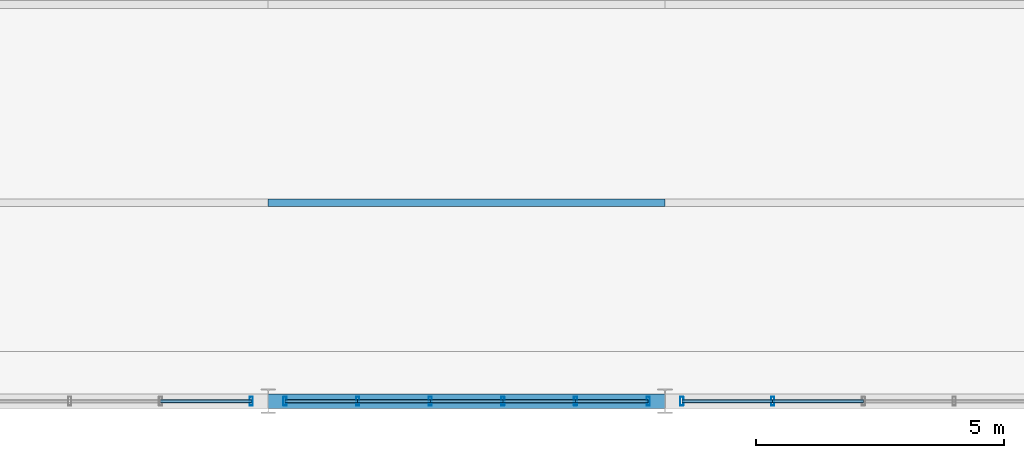
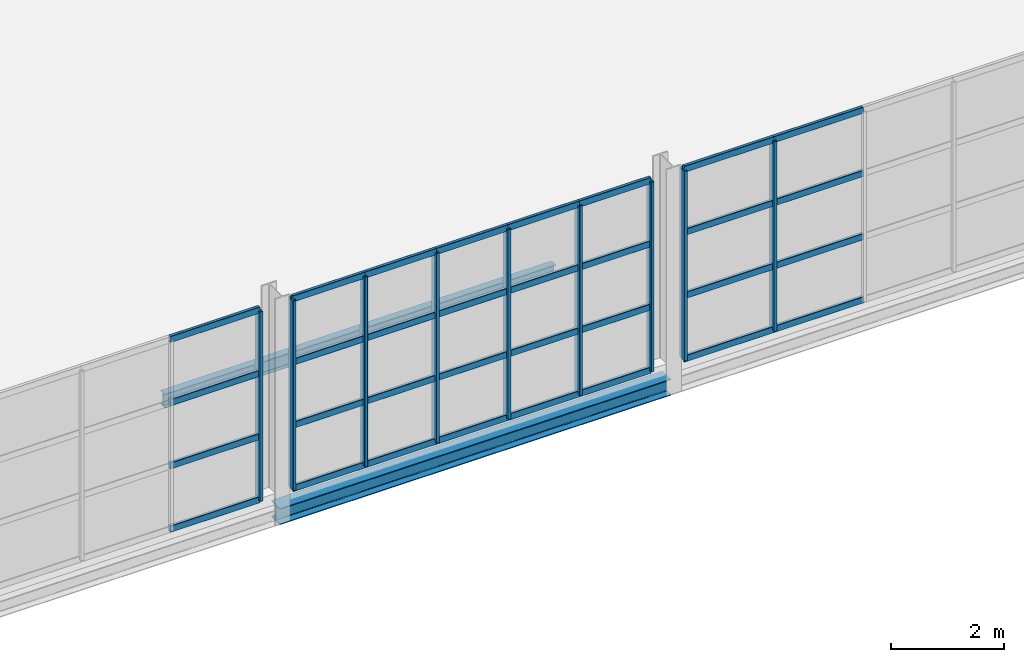
# One storey, part 103 of 153: 41 members, 2 beams, 3 elements without a shape of their own.
"""IFC4 building model written with IfcOpenShell, lengths in metres."""

from ifc_helpers import new_model, si_unit, derived_unit, direction, frame, origin, origin_2d, place, context, subcontext, project, spatial, hollow_rectangle, i_section, extrude, material, material_profile, profile_set, type_object, element, aggregate, save


model = new_model("IFC4")

# Units and contexts
model_context = context("Model", 3, precision=1e-05, world=origin(), true_north=direction((0.0, 1.0)))
body_context = subcontext(model_context, "Body", "Model", "MODEL_VIEW")
ifc_project = project(units=[si_unit("LENGTHUNIT", "METRE"), si_unit("AREAUNIT", "SQUARE_METRE"), si_unit("VOLUMEUNIT", "CUBIC_METRE"), si_unit("PLANEANGLEUNIT", "RADIAN"), si_unit("MASSUNIT", "GRAM", prefix="KILO"), derived_unit("THERMALTRANSMITTANCEUNIT", [(si_unit("POWERUNIT", "WATT"), 1), (si_unit("LENGTHUNIT", "METRE"), -2), (si_unit("THERMODYNAMICTEMPERATUREUNIT", "KELVIN"), -1)])], contexts=[model_context])

# Site, building, storey
site_placement = place(None, origin())
site = spatial("IfcSite", under=ifc_project, at=site_placement, CompositionType="ELEMENT")
building_placement = place(site_placement, origin())
building = spatial("IfcBuilding", under=site, at=building_placement, Name="Keldorne Ridge Multi-Sports Centre", CompositionType="ELEMENT")
storey_placement = place(building_placement, frame((0.0, 0.0, 9.60009765625)))
storey = spatial("IfcBuildingStorey", under=building, at=storey_placement, Name="L02", CompositionType="ELEMENT", Elevation=9.60009765625)

# Beams
ifc_material_1 = material(Name="Steel S355", Category="steel")
ifc_material_profile_1 = material_profile(ifc_material_1, i_section(OverallWidth=0.14990234375, OverallDepth=0.300048828125, WebThickness=0.007080078125, FlangeThickness=0.0107421875, FilletRadius=0.014892578125, at=origin_2d()), Name="IPE 300")
ifc_profile_set_1 = profile_set([ifc_material_profile_1], Name="Steel S355")
beam_type_1 = type_object("IfcBeamType", Name="BM-J-02", PredefinedType="JOIST", material=ifc_profile_set_1)
beam_1_placement = place(storey_placement, frame((136.0, 10.0, -0.39013671875), z_axis=(1.0, 0.0, 0.0), x_axis=(0.0, 1.0, 0.0)))
element("IfcBeam", 1, at=beam_1_placement, inside=storey, type_object=beam_type_1, Name="L02 Stacked Courts beam 5.2", PredefinedType="JOIST", context=body_context, shape_type="SweptSolid", body=[
    extrude(i_section(OverallWidth=0.14990234375, OverallDepth=0.300048828125, WebThickness=0.007080078125, FlangeThickness=0.0107421875, FilletRadius=0.014892578125, at=origin_2d()), origin(), (0.0, 0.0, 1.0), 8.0),
])
ifc_material_profile_2 = material_profile(ifc_material_1, i_section(OverallWidth=0.300048828125, OverallDepth=0.35009765625, WebThickness=0.010009765625, FlangeThickness=0.017578125, FilletRadius=0.027099609375, at=origin_2d()), Name="HEA 360")
ifc_profile_set_2 = profile_set([ifc_material_profile_2], Name="Steel S355")
beam_type_2 = type_object("IfcBeamType", Name="BM-SP-03", PredefinedType="SPANDREL", material=ifc_profile_set_2)
beam_2_placement = place(storey_placement, frame((136.0, 6.0, -0.4150390625), z_axis=(1.0, 0.0, 0.0), x_axis=(0.0, 1.0, 0.0)))
element("IfcBeam", 2, at=beam_2_placement, inside=storey, type_object=beam_type_2, Name="L02 Stacked Courts beam 5.1", PredefinedType="SPANDREL", context=body_context, shape_type="SweptSolid", body=[
    extrude(i_section(OverallWidth=0.300048828125, OverallDepth=0.35009765625, WebThickness=0.010009765625, FlangeThickness=0.017578125, FilletRadius=0.027099609375, at=origin_2d()), origin(), (0.0, 0.0, 1.0), 8.0),
])

# Curtain wall, member
ifc_material_2 = material(Name="Anodized aluminium", Category="aluminium")
curtain_wall_type_1 = type_object("IfcCurtainWallType", Name="CW-CW-03", PredefinedType="NOTDEFINED", material=ifc_material_2)
curtain_wall_1_placement = place(storey_placement, origin())
curtain_wall_1 = element("IfcCurtainWall", 3, at=curtain_wall_1_placement, inside=storey, type_object=curtain_wall_type_1, Name="Upper Courts south curtain wall 107", PredefinedType="NOTDEFINED")
ifc_material_profile_3 = material_profile(ifc_material_2, hollow_rectangle(XDim=0.06494140625, YDim=0.179931640625, WallThickness=0.00439453125, InnerFilletRadius=0.00439453125, OuterFilletRadius=0.009033203125, at=origin_2d()), Name="ALU MULLION 180x65x4.5")
ifc_profile_set_3 = profile_set([ifc_material_profile_3], Name="Anodized aluminium")
member_type_1 = type_object("IfcMemberType", Name="MEM-ML-01", PredefinedType="MULLION", material=ifc_profile_set_3)
member_1_placement = place(storey_placement, frame((135.659912109375, 6.0, 0.0), z_axis=(0.0, 0.0, 1.0), x_axis=(1.0, 0.0, 0.0)))
member_1 = element("IfcMember", 4, at=member_1_placement, type_object=member_type_1, Name="CW-107 vertical mullion 5", PredefinedType="MULLION", context=body_context, shape_type="SweptSolid", body=[
    extrude(hollow_rectangle(XDim=0.06494140625, YDim=0.179931640625, WallThickness=0.00439453125, InnerFilletRadius=0.00439453125, OuterFilletRadius=0.009033203125, at=origin_2d()), origin(), (0.0, 0.0, 1.0), 4.099853515625),
])

# Curtain wall, members
curtain_wall_type_2 = type_object("IfcCurtainWallType", Name="CW-CW-02", PredefinedType="NOTDEFINED", material=ifc_material_2)
curtain_wall_2_placement = place(storey_placement, origin())
curtain_wall_2 = element("IfcCurtainWall", 5, at=curtain_wall_2_placement, inside=storey, type_object=curtain_wall_type_2, Name="Upper Courts south curtain wall 114", PredefinedType="NOTDEFINED")
member_2_placement = place(storey_placement, frame((136.340087890625, 6.0, 0.0), z_axis=(0.0, 0.0, 1.0), x_axis=(1.0, 0.0, 0.0)))
member_2 = element("IfcMember", 6, at=member_2_placement, type_object=member_type_1, Name="CW-114 vertical mullion 1", PredefinedType="MULLION", context=body_context, shape_type="SweptSolid", body=[
    extrude(hollow_rectangle(XDim=0.06494140625, YDim=0.179931640625, WallThickness=0.00439453125, InnerFilletRadius=0.00439453125, OuterFilletRadius=0.009033203125, at=origin_2d()), origin(), (0.0, 0.0, 1.0), 4.099853515625),
])
member_3_placement = place(storey_placement, frame((137.803955078125, 6.0, 0.0), z_axis=(0.0, 0.0, 1.0), x_axis=(1.0, 0.0, 0.0)))
member_3 = element("IfcMember", 7, at=member_3_placement, type_object=member_type_1, Name="CW-114 vertical mullion 2", PredefinedType="MULLION", context=body_context, shape_type="SweptSolid", body=[
    extrude(hollow_rectangle(XDim=0.06494140625, YDim=0.179931640625, WallThickness=0.00439453125, InnerFilletRadius=0.00439453125, OuterFilletRadius=0.009033203125, at=origin_2d()), origin(), (0.0, 0.0, 1.0), 4.099853515625),
])
member_4_placement = place(storey_placement, frame((139.26806640625, 6.0, 0.0), z_axis=(0.0, 0.0, 1.0), x_axis=(1.0, 0.0, 0.0)))
member_4 = element("IfcMember", 8, at=member_4_placement, type_object=member_type_1, Name="CW-114 vertical mullion 3", PredefinedType="MULLION", context=body_context, shape_type="SweptSolid", body=[
    extrude(hollow_rectangle(XDim=0.06494140625, YDim=0.179931640625, WallThickness=0.00439453125, InnerFilletRadius=0.00439453125, OuterFilletRadius=0.009033203125, at=origin_2d()), origin(), (0.0, 0.0, 1.0), 4.099853515625),
])
member_5_placement = place(storey_placement, frame((140.73193359375, 6.0, 0.0), z_axis=(0.0, 0.0, 1.0), x_axis=(1.0, 0.0, 0.0)))
member_5 = element("IfcMember", 9, at=member_5_placement, type_object=member_type_1, Name="CW-114 vertical mullion 4", PredefinedType="MULLION", context=body_context, shape_type="SweptSolid", body=[
    extrude(hollow_rectangle(XDim=0.06494140625, YDim=0.179931640625, WallThickness=0.00439453125, InnerFilletRadius=0.00439453125, OuterFilletRadius=0.009033203125, at=origin_2d()), origin(), (0.0, 0.0, 1.0), 4.099853515625),
])
member_6_placement = place(storey_placement, frame((142.196044921875, 6.0, 0.0), z_axis=(0.0, 0.0, 1.0), x_axis=(1.0, 0.0, 0.0)))
member_6 = element("IfcMember", 10, at=member_6_placement, type_object=member_type_1, Name="CW-114 vertical mullion 5", PredefinedType="MULLION", context=body_context, shape_type="SweptSolid", body=[
    extrude(hollow_rectangle(XDim=0.06494140625, YDim=0.179931640625, WallThickness=0.00439453125, InnerFilletRadius=0.00439453125, OuterFilletRadius=0.009033203125, at=origin_2d()), origin(), (0.0, 0.0, 1.0), 4.099853515625),
])
member_7_placement = place(storey_placement, frame((143.659912109375, 6.0, 0.0), z_axis=(0.0, 0.0, 1.0), x_axis=(1.0, 0.0, 0.0)))
member_7 = element("IfcMember", 11, at=member_7_placement, type_object=member_type_1, Name="CW-114 vertical mullion 6", PredefinedType="MULLION", context=body_context, shape_type="SweptSolid", body=[
    extrude(hollow_rectangle(XDim=0.06494140625, YDim=0.179931640625, WallThickness=0.00439453125, InnerFilletRadius=0.00439453125, OuterFilletRadius=0.009033203125, at=origin_2d()), origin(), (0.0, 0.0, 1.0), 4.099853515625),
])

curtain_wall_type_3 = type_object("IfcCurtainWallType", Name="CW-CW-08", PredefinedType="NOTDEFINED", material=ifc_material_2)
curtain_wall_3_placement = place(storey_placement, origin())
curtain_wall_3 = element("IfcCurtainWall", 12, at=curtain_wall_3_placement, inside=storey, type_object=curtain_wall_type_3, Name="Upper Courts south curtain wall 120", PredefinedType="NOTDEFINED")
member_8_placement = place(storey_placement, frame((144.340087890625, 6.0, 0.0), z_axis=(0.0, 0.0, 1.0), x_axis=(1.0, 0.0, 0.0)))
member_8 = element("IfcMember", 13, at=member_8_placement, type_object=member_type_1, Name="CW-120 vertical mullion 1", PredefinedType="MULLION", context=body_context, shape_type="SweptSolid", body=[
    extrude(hollow_rectangle(XDim=0.06494140625, YDim=0.179931640625, WallThickness=0.00439453125, InnerFilletRadius=0.00439453125, OuterFilletRadius=0.009033203125, at=origin_2d()), origin(), (0.0, 0.0, 1.0), 4.099853515625),
])
member_9_placement = place(storey_placement, frame((146.169921875, 6.0, 0.0), z_axis=(0.0, 0.0, 1.0), x_axis=(1.0, 0.0, 0.0)))
member_9 = element("IfcMember", 14, at=member_9_placement, type_object=member_type_1, Name="CW-120 vertical mullion 2", PredefinedType="MULLION", context=body_context, shape_type="SweptSolid", body=[
    extrude(hollow_rectangle(XDim=0.06494140625, YDim=0.179931640625, WallThickness=0.00439453125, InnerFilletRadius=0.00439453125, OuterFilletRadius=0.009033203125, at=origin_2d()), origin(), (0.0, 0.0, 1.0), 4.099853515625),
])

# Member
ifc_material_profile_4 = material_profile(ifc_material_2, hollow_rectangle(XDim=0.06494140625, YDim=0.139892578125, WallThickness=0.00439453125, InnerFilletRadius=0.00439453125, OuterFilletRadius=0.009033203125, at=origin_2d()), Name="ALU TRANSOM 140x65x4.5")
ifc_profile_set_4 = profile_set([ifc_material_profile_4], Name="Anodized aluminium")
member_type_2 = type_object("IfcMemberType", Name="MEM-TR-01", PredefinedType="USERDEFINED", material=ifc_profile_set_4)
member_10_placement = place(storey_placement, frame((133.830078125, 6.0, 0.0), z_axis=(1.0, 0.0, 0.0), x_axis=(0.0, 1.0, 0.0)))
member_10 = element("IfcMember", 15, at=member_10_placement, type_object=member_type_2, Name="CW-107 transom 4.1", ObjectType="TRANSOM", PredefinedType="USERDEFINED", context=body_context, shape_type="SweptSolid", body=[
    extrude(hollow_rectangle(XDim=0.06494140625, YDim=0.139892578125, WallThickness=0.00439453125, InnerFilletRadius=0.00439453125, OuterFilletRadius=0.009033203125, at=origin_2d()), origin(), (0.0, 0.0, 1.0), 1.829833984375),
])

member_11_placement = place(storey_placement, frame((133.830078125, 6.0, 1.36669921875), z_axis=(1.0, 0.0, 0.0), x_axis=(0.0, 1.0, 0.0)))
member_11 = element("IfcMember", 16, at=member_11_placement, type_object=member_type_2, Name="CW-107 transom 4.2", ObjectType="TRANSOM", PredefinedType="USERDEFINED", context=body_context, shape_type="SweptSolid", body=[
    extrude(hollow_rectangle(XDim=0.06494140625, YDim=0.139892578125, WallThickness=0.00439453125, InnerFilletRadius=0.00439453125, OuterFilletRadius=0.009033203125, at=origin_2d()), origin(), (0.0, 0.0, 1.0), 1.829833984375),
])

member_12_placement = place(storey_placement, frame((133.830078125, 6.0, 2.733154296875), z_axis=(1.0, 0.0, 0.0), x_axis=(0.0, 1.0, 0.0)))
member_12 = element("IfcMember", 17, at=member_12_placement, type_object=member_type_2, Name="CW-107 transom 4.3", ObjectType="TRANSOM", PredefinedType="USERDEFINED", context=body_context, shape_type="SweptSolid", body=[
    extrude(hollow_rectangle(XDim=0.06494140625, YDim=0.139892578125, WallThickness=0.00439453125, InnerFilletRadius=0.00439453125, OuterFilletRadius=0.009033203125, at=origin_2d()), origin(), (0.0, 0.0, 1.0), 1.829833984375),
])

member_13_placement = place(storey_placement, frame((133.830078125, 6.0, 4.099853515625), z_axis=(1.0, 0.0, 0.0), x_axis=(0.0, 1.0, 0.0)))
member_13 = element("IfcMember", 18, at=member_13_placement, type_object=member_type_2, Name="CW-107 transom 4.4", ObjectType="TRANSOM", PredefinedType="USERDEFINED", context=body_context, shape_type="SweptSolid", body=[
    extrude(hollow_rectangle(XDim=0.06494140625, YDim=0.139892578125, WallThickness=0.00439453125, InnerFilletRadius=0.00439453125, OuterFilletRadius=0.009033203125, at=origin_2d()), origin(), (0.0, 0.0, 1.0), 1.829833984375),
])

aggregate(curtain_wall_1, [member_1, member_10, member_11, member_12, member_13])

member_14_placement = place(storey_placement, frame((136.340087890625, 6.0, 0.0), z_axis=(1.0, 0.0, 0.0), x_axis=(0.0, 1.0, 0.0)))
member_14 = element("IfcMember", 19, at=member_14_placement, type_object=member_type_2, Name="CW-114 transom 1.1", ObjectType="TRANSOM", PredefinedType="USERDEFINED", context=body_context, shape_type="SweptSolid", body=[
    extrude(hollow_rectangle(XDim=0.06494140625, YDim=0.139892578125, WallThickness=0.00439453125, InnerFilletRadius=0.00439453125, OuterFilletRadius=0.009033203125, at=origin_2d()), origin(), (0.0, 0.0, 1.0), 1.4638671875),
])

member_15_placement = place(storey_placement, frame((136.340087890625, 6.0, 1.36669921875), z_axis=(1.0, 0.0, 0.0), x_axis=(0.0, 1.0, 0.0)))
member_15 = element("IfcMember", 20, at=member_15_placement, type_object=member_type_2, Name="CW-114 transom 1.2", ObjectType="TRANSOM", PredefinedType="USERDEFINED", context=body_context, shape_type="SweptSolid", body=[
    extrude(hollow_rectangle(XDim=0.06494140625, YDim=0.139892578125, WallThickness=0.00439453125, InnerFilletRadius=0.00439453125, OuterFilletRadius=0.009033203125, at=origin_2d()), origin(), (0.0, 0.0, 1.0), 1.4638671875),
])

member_16_placement = place(storey_placement, frame((136.340087890625, 6.0, 2.733154296875), z_axis=(1.0, 0.0, 0.0), x_axis=(0.0, 1.0, 0.0)))
member_16 = element("IfcMember", 21, at=member_16_placement, type_object=member_type_2, Name="CW-114 transom 1.3", ObjectType="TRANSOM", PredefinedType="USERDEFINED", context=body_context, shape_type="SweptSolid", body=[
    extrude(hollow_rectangle(XDim=0.06494140625, YDim=0.139892578125, WallThickness=0.00439453125, InnerFilletRadius=0.00439453125, OuterFilletRadius=0.009033203125, at=origin_2d()), origin(), (0.0, 0.0, 1.0), 1.4638671875),
])

member_17_placement = place(storey_placement, frame((136.340087890625, 6.0, 4.099853515625), z_axis=(1.0, 0.0, 0.0), x_axis=(0.0, 1.0, 0.0)))
member_17 = element("IfcMember", 22, at=member_17_placement, type_object=member_type_2, Name="CW-114 transom 1.4", ObjectType="TRANSOM", PredefinedType="USERDEFINED", context=body_context, shape_type="SweptSolid", body=[
    extrude(hollow_rectangle(XDim=0.06494140625, YDim=0.139892578125, WallThickness=0.00439453125, InnerFilletRadius=0.00439453125, OuterFilletRadius=0.009033203125, at=origin_2d()), origin(), (0.0, 0.0, 1.0), 1.4638671875),
])

member_18_placement = place(storey_placement, frame((137.803955078125, 6.0, 0.0), z_axis=(1.0, 0.0, 0.0), x_axis=(0.0, 1.0, 0.0)))
member_18 = element("IfcMember", 23, at=member_18_placement, type_object=member_type_2, Name="CW-114 transom 2.1", ObjectType="TRANSOM", PredefinedType="USERDEFINED", context=body_context, shape_type="SweptSolid", body=[
    extrude(hollow_rectangle(XDim=0.06494140625, YDim=0.139892578125, WallThickness=0.00439453125, InnerFilletRadius=0.00439453125, OuterFilletRadius=0.009033203125, at=origin_2d()), origin(), (0.0, 0.0, 1.0), 1.464111328125),
])

member_19_placement = place(storey_placement, frame((137.803955078125, 6.0, 1.36669921875), z_axis=(1.0, 0.0, 0.0), x_axis=(0.0, 1.0, 0.0)))
member_19 = element("IfcMember", 24, at=member_19_placement, type_object=member_type_2, Name="CW-114 transom 2.2", ObjectType="TRANSOM", PredefinedType="USERDEFINED", context=body_context, shape_type="SweptSolid", body=[
    extrude(hollow_rectangle(XDim=0.06494140625, YDim=0.139892578125, WallThickness=0.00439453125, InnerFilletRadius=0.00439453125, OuterFilletRadius=0.009033203125, at=origin_2d()), origin(), (0.0, 0.0, 1.0), 1.464111328125),
])

member_20_placement = place(storey_placement, frame((137.803955078125, 6.0, 2.733154296875), z_axis=(1.0, 0.0, 0.0), x_axis=(0.0, 1.0, 0.0)))
member_20 = element("IfcMember", 25, at=member_20_placement, type_object=member_type_2, Name="CW-114 transom 2.3", ObjectType="TRANSOM", PredefinedType="USERDEFINED", context=body_context, shape_type="SweptSolid", body=[
    extrude(hollow_rectangle(XDim=0.06494140625, YDim=0.139892578125, WallThickness=0.00439453125, InnerFilletRadius=0.00439453125, OuterFilletRadius=0.009033203125, at=origin_2d()), origin(), (0.0, 0.0, 1.0), 1.464111328125),
])

member_21_placement = place(storey_placement, frame((137.803955078125, 6.0, 4.099853515625), z_axis=(1.0, 0.0, 0.0), x_axis=(0.0, 1.0, 0.0)))
member_21 = element("IfcMember", 26, at=member_21_placement, type_object=member_type_2, Name="CW-114 transom 2.4", ObjectType="TRANSOM", PredefinedType="USERDEFINED", context=body_context, shape_type="SweptSolid", body=[
    extrude(hollow_rectangle(XDim=0.06494140625, YDim=0.139892578125, WallThickness=0.00439453125, InnerFilletRadius=0.00439453125, OuterFilletRadius=0.009033203125, at=origin_2d()), origin(), (0.0, 0.0, 1.0), 1.464111328125),
])

member_22_placement = place(storey_placement, frame((139.26806640625, 6.0, 0.0), z_axis=(1.0, 0.0, 0.0), x_axis=(0.0, 1.0, 0.0)))
member_22 = element("IfcMember", 27, at=member_22_placement, type_object=member_type_2, Name="CW-114 transom 3.1", ObjectType="TRANSOM", PredefinedType="USERDEFINED", context=body_context, shape_type="SweptSolid", body=[
    extrude(hollow_rectangle(XDim=0.06494140625, YDim=0.139892578125, WallThickness=0.00439453125, InnerFilletRadius=0.00439453125, OuterFilletRadius=0.009033203125, at=origin_2d()), origin(), (0.0, 0.0, 1.0), 1.4638671875),
])

member_23_placement = place(storey_placement, frame((139.26806640625, 6.0, 1.36669921875), z_axis=(1.0, 0.0, 0.0), x_axis=(0.0, 1.0, 0.0)))
member_23 = element("IfcMember", 28, at=member_23_placement, type_object=member_type_2, Name="CW-114 transom 3.2", ObjectType="TRANSOM", PredefinedType="USERDEFINED", context=body_context, shape_type="SweptSolid", body=[
    extrude(hollow_rectangle(XDim=0.06494140625, YDim=0.139892578125, WallThickness=0.00439453125, InnerFilletRadius=0.00439453125, OuterFilletRadius=0.009033203125, at=origin_2d()), origin(), (0.0, 0.0, 1.0), 1.4638671875),
])

member_24_placement = place(storey_placement, frame((139.26806640625, 6.0, 2.733154296875), z_axis=(1.0, 0.0, 0.0), x_axis=(0.0, 1.0, 0.0)))
member_24 = element("IfcMember", 29, at=member_24_placement, type_object=member_type_2, Name="CW-114 transom 3.3", ObjectType="TRANSOM", PredefinedType="USERDEFINED", context=body_context, shape_type="SweptSolid", body=[
    extrude(hollow_rectangle(XDim=0.06494140625, YDim=0.139892578125, WallThickness=0.00439453125, InnerFilletRadius=0.00439453125, OuterFilletRadius=0.009033203125, at=origin_2d()), origin(), (0.0, 0.0, 1.0), 1.4638671875),
])

member_25_placement = place(storey_placement, frame((139.26806640625, 6.0, 4.099853515625), z_axis=(1.0, 0.0, 0.0), x_axis=(0.0, 1.0, 0.0)))
member_25 = element("IfcMember", 30, at=member_25_placement, type_object=member_type_2, Name="CW-114 transom 3.4", ObjectType="TRANSOM", PredefinedType="USERDEFINED", context=body_context, shape_type="SweptSolid", body=[
    extrude(hollow_rectangle(XDim=0.06494140625, YDim=0.139892578125, WallThickness=0.00439453125, InnerFilletRadius=0.00439453125, OuterFilletRadius=0.009033203125, at=origin_2d()), origin(), (0.0, 0.0, 1.0), 1.4638671875),
])

member_26_placement = place(storey_placement, frame((140.73193359375, 6.0, 0.0), z_axis=(1.0, 0.0, 0.0), x_axis=(0.0, 1.0, 0.0)))
member_26 = element("IfcMember", 31, at=member_26_placement, type_object=member_type_2, Name="CW-114 transom 4.1", ObjectType="TRANSOM", PredefinedType="USERDEFINED", context=body_context, shape_type="SweptSolid", body=[
    extrude(hollow_rectangle(XDim=0.06494140625, YDim=0.139892578125, WallThickness=0.00439453125, InnerFilletRadius=0.00439453125, OuterFilletRadius=0.009033203125, at=origin_2d()), origin(), (0.0, 0.0, 1.0), 1.464111328125),
])

member_27_placement = place(storey_placement, frame((140.73193359375, 6.0, 1.36669921875), z_axis=(1.0, 0.0, 0.0), x_axis=(0.0, 1.0, 0.0)))
member_27 = element("IfcMember", 32, at=member_27_placement, type_object=member_type_2, Name="CW-114 transom 4.2", ObjectType="TRANSOM", PredefinedType="USERDEFINED", context=body_context, shape_type="SweptSolid", body=[
    extrude(hollow_rectangle(XDim=0.06494140625, YDim=0.139892578125, WallThickness=0.00439453125, InnerFilletRadius=0.00439453125, OuterFilletRadius=0.009033203125, at=origin_2d()), origin(), (0.0, 0.0, 1.0), 1.464111328125),
])

member_28_placement = place(storey_placement, frame((140.73193359375, 6.0, 2.733154296875), z_axis=(1.0, 0.0, 0.0), x_axis=(0.0, 1.0, 0.0)))
member_28 = element("IfcMember", 33, at=member_28_placement, type_object=member_type_2, Name="CW-114 transom 4.3", ObjectType="TRANSOM", PredefinedType="USERDEFINED", context=body_context, shape_type="SweptSolid", body=[
    extrude(hollow_rectangle(XDim=0.06494140625, YDim=0.139892578125, WallThickness=0.00439453125, InnerFilletRadius=0.00439453125, OuterFilletRadius=0.009033203125, at=origin_2d()), origin(), (0.0, 0.0, 1.0), 1.464111328125),
])

member_29_placement = place(storey_placement, frame((140.73193359375, 6.0, 4.099853515625), z_axis=(1.0, 0.0, 0.0), x_axis=(0.0, 1.0, 0.0)))
member_29 = element("IfcMember", 34, at=member_29_placement, type_object=member_type_2, Name="CW-114 transom 4.4", ObjectType="TRANSOM", PredefinedType="USERDEFINED", context=body_context, shape_type="SweptSolid", body=[
    extrude(hollow_rectangle(XDim=0.06494140625, YDim=0.139892578125, WallThickness=0.00439453125, InnerFilletRadius=0.00439453125, OuterFilletRadius=0.009033203125, at=origin_2d()), origin(), (0.0, 0.0, 1.0), 1.464111328125),
])

member_30_placement = place(storey_placement, frame((142.196044921875, 6.0, 0.0), z_axis=(1.0, 0.0, 0.0), x_axis=(0.0, 1.0, 0.0)))
member_30 = element("IfcMember", 35, at=member_30_placement, type_object=member_type_2, Name="CW-114 transom 5.1", ObjectType="TRANSOM", PredefinedType="USERDEFINED", context=body_context, shape_type="SweptSolid", body=[
    extrude(hollow_rectangle(XDim=0.06494140625, YDim=0.139892578125, WallThickness=0.00439453125, InnerFilletRadius=0.00439453125, OuterFilletRadius=0.009033203125, at=origin_2d()), origin(), (0.0, 0.0, 1.0), 1.4638671875),
])

member_31_placement = place(storey_placement, frame((142.196044921875, 6.0, 1.36669921875), z_axis=(1.0, 0.0, 0.0), x_axis=(0.0, 1.0, 0.0)))
member_31 = element("IfcMember", 36, at=member_31_placement, type_object=member_type_2, Name="CW-114 transom 5.2", ObjectType="TRANSOM", PredefinedType="USERDEFINED", context=body_context, shape_type="SweptSolid", body=[
    extrude(hollow_rectangle(XDim=0.06494140625, YDim=0.139892578125, WallThickness=0.00439453125, InnerFilletRadius=0.00439453125, OuterFilletRadius=0.009033203125, at=origin_2d()), origin(), (0.0, 0.0, 1.0), 1.4638671875),
])

member_32_placement = place(storey_placement, frame((142.196044921875, 6.0, 2.733154296875), z_axis=(1.0, 0.0, 0.0), x_axis=(0.0, 1.0, 0.0)))
member_32 = element("IfcMember", 37, at=member_32_placement, type_object=member_type_2, Name="CW-114 transom 5.3", ObjectType="TRANSOM", PredefinedType="USERDEFINED", context=body_context, shape_type="SweptSolid", body=[
    extrude(hollow_rectangle(XDim=0.06494140625, YDim=0.139892578125, WallThickness=0.00439453125, InnerFilletRadius=0.00439453125, OuterFilletRadius=0.009033203125, at=origin_2d()), origin(), (0.0, 0.0, 1.0), 1.4638671875),
])

member_33_placement = place(storey_placement, frame((142.196044921875, 6.0, 4.099853515625), z_axis=(1.0, 0.0, 0.0), x_axis=(0.0, 1.0, 0.0)))
member_33 = element("IfcMember", 38, at=member_33_placement, type_object=member_type_2, Name="CW-114 transom 5.4", ObjectType="TRANSOM", PredefinedType="USERDEFINED", context=body_context, shape_type="SweptSolid", body=[
    extrude(hollow_rectangle(XDim=0.06494140625, YDim=0.139892578125, WallThickness=0.00439453125, InnerFilletRadius=0.00439453125, OuterFilletRadius=0.009033203125, at=origin_2d()), origin(), (0.0, 0.0, 1.0), 1.4638671875),
])

aggregate(curtain_wall_2, [member_2, member_3, member_4, member_5, member_6, member_7, member_14, member_15, member_16, member_17, member_18, member_19, member_20, member_21, member_22, member_23, member_24, member_25, member_26, member_27, member_28, member_29, member_30, member_31, member_32, member_33])

member_34_placement = place(storey_placement, frame((144.340087890625, 6.0, 0.0), z_axis=(1.0, 0.0, 0.0), x_axis=(0.0, 1.0, 0.0)))
member_34 = element("IfcMember", 39, at=member_34_placement, type_object=member_type_2, Name="CW-120 transom 1.1", ObjectType="TRANSOM", PredefinedType="USERDEFINED", context=body_context, shape_type="SweptSolid", body=[
    extrude(hollow_rectangle(XDim=0.06494140625, YDim=0.139892578125, WallThickness=0.00439453125, InnerFilletRadius=0.00439453125, OuterFilletRadius=0.009033203125, at=origin_2d()), origin(), (0.0, 0.0, 1.0), 1.829833984375),
])

member_35_placement = place(storey_placement, frame((144.340087890625, 6.0, 1.36669921875), z_axis=(1.0, 0.0, 0.0), x_axis=(0.0, 1.0, 0.0)))
member_35 = element("IfcMember", 40, at=member_35_placement, type_object=member_type_2, Name="CW-120 transom 1.2", ObjectType="TRANSOM", PredefinedType="USERDEFINED", context=body_context, shape_type="SweptSolid", body=[
    extrude(hollow_rectangle(XDim=0.06494140625, YDim=0.139892578125, WallThickness=0.00439453125, InnerFilletRadius=0.00439453125, OuterFilletRadius=0.009033203125, at=origin_2d()), origin(), (0.0, 0.0, 1.0), 1.829833984375),
])

member_36_placement = place(storey_placement, frame((144.340087890625, 6.0, 2.733154296875), z_axis=(1.0, 0.0, 0.0), x_axis=(0.0, 1.0, 0.0)))
member_36 = element("IfcMember", 41, at=member_36_placement, type_object=member_type_2, Name="CW-120 transom 1.3", ObjectType="TRANSOM", PredefinedType="USERDEFINED", context=body_context, shape_type="SweptSolid", body=[
    extrude(hollow_rectangle(XDim=0.06494140625, YDim=0.139892578125, WallThickness=0.00439453125, InnerFilletRadius=0.00439453125, OuterFilletRadius=0.009033203125, at=origin_2d()), origin(), (0.0, 0.0, 1.0), 1.829833984375),
])

member_37_placement = place(storey_placement, frame((144.340087890625, 6.0, 4.099853515625), z_axis=(1.0, 0.0, 0.0), x_axis=(0.0, 1.0, 0.0)))
member_37 = element("IfcMember", 42, at=member_37_placement, type_object=member_type_2, Name="CW-120 transom 1.4", ObjectType="TRANSOM", PredefinedType="USERDEFINED", context=body_context, shape_type="SweptSolid", body=[
    extrude(hollow_rectangle(XDim=0.06494140625, YDim=0.139892578125, WallThickness=0.00439453125, InnerFilletRadius=0.00439453125, OuterFilletRadius=0.009033203125, at=origin_2d()), origin(), (0.0, 0.0, 1.0), 1.829833984375),
])

member_38_placement = place(storey_placement, frame((146.169921875, 6.0, 0.0), z_axis=(1.0, 0.0, 0.0), x_axis=(0.0, 1.0, 0.0)))
member_38 = element("IfcMember", 43, at=member_38_placement, type_object=member_type_2, Name="CW-120 transom 2.1", ObjectType="TRANSOM", PredefinedType="USERDEFINED", context=body_context, shape_type="SweptSolid", body=[
    extrude(hollow_rectangle(XDim=0.06494140625, YDim=0.139892578125, WallThickness=0.00439453125, InnerFilletRadius=0.00439453125, OuterFilletRadius=0.009033203125, at=origin_2d()), origin(), (0.0, 0.0, 1.0), 1.830078125),
])

member_39_placement = place(storey_placement, frame((146.169921875, 6.0, 1.36669921875), z_axis=(1.0, 0.0, 0.0), x_axis=(0.0, 1.0, 0.0)))
member_39 = element("IfcMember", 44, at=member_39_placement, type_object=member_type_2, Name="CW-120 transom 2.2", ObjectType="TRANSOM", PredefinedType="USERDEFINED", context=body_context, shape_type="SweptSolid", body=[
    extrude(hollow_rectangle(XDim=0.06494140625, YDim=0.139892578125, WallThickness=0.00439453125, InnerFilletRadius=0.00439453125, OuterFilletRadius=0.009033203125, at=origin_2d()), origin(), (0.0, 0.0, 1.0), 1.830078125),
])

member_40_placement = place(storey_placement, frame((146.169921875, 6.0, 2.733154296875), z_axis=(1.0, 0.0, 0.0), x_axis=(0.0, 1.0, 0.0)))
member_40 = element("IfcMember", 45, at=member_40_placement, type_object=member_type_2, Name="CW-120 transom 2.3", ObjectType="TRANSOM", PredefinedType="USERDEFINED", context=body_context, shape_type="SweptSolid", body=[
    extrude(hollow_rectangle(XDim=0.06494140625, YDim=0.139892578125, WallThickness=0.00439453125, InnerFilletRadius=0.00439453125, OuterFilletRadius=0.009033203125, at=origin_2d()), origin(), (0.0, 0.0, 1.0), 1.830078125),
])

member_41_placement = place(storey_placement, frame((146.169921875, 6.0, 4.099853515625), z_axis=(1.0, 0.0, 0.0), x_axis=(0.0, 1.0, 0.0)))
member_41 = element("IfcMember", 46, at=member_41_placement, type_object=member_type_2, Name="CW-120 transom 2.4", ObjectType="TRANSOM", PredefinedType="USERDEFINED", context=body_context, shape_type="SweptSolid", body=[
    extrude(hollow_rectangle(XDim=0.06494140625, YDim=0.139892578125, WallThickness=0.00439453125, InnerFilletRadius=0.00439453125, OuterFilletRadius=0.009033203125, at=origin_2d()), origin(), (0.0, 0.0, 1.0), 1.830078125),
])

aggregate(curtain_wall_3, [member_8, member_9, member_34, member_35, member_36, member_37, member_38, member_39, member_40, member_41])

save(model, "model.ifc")
